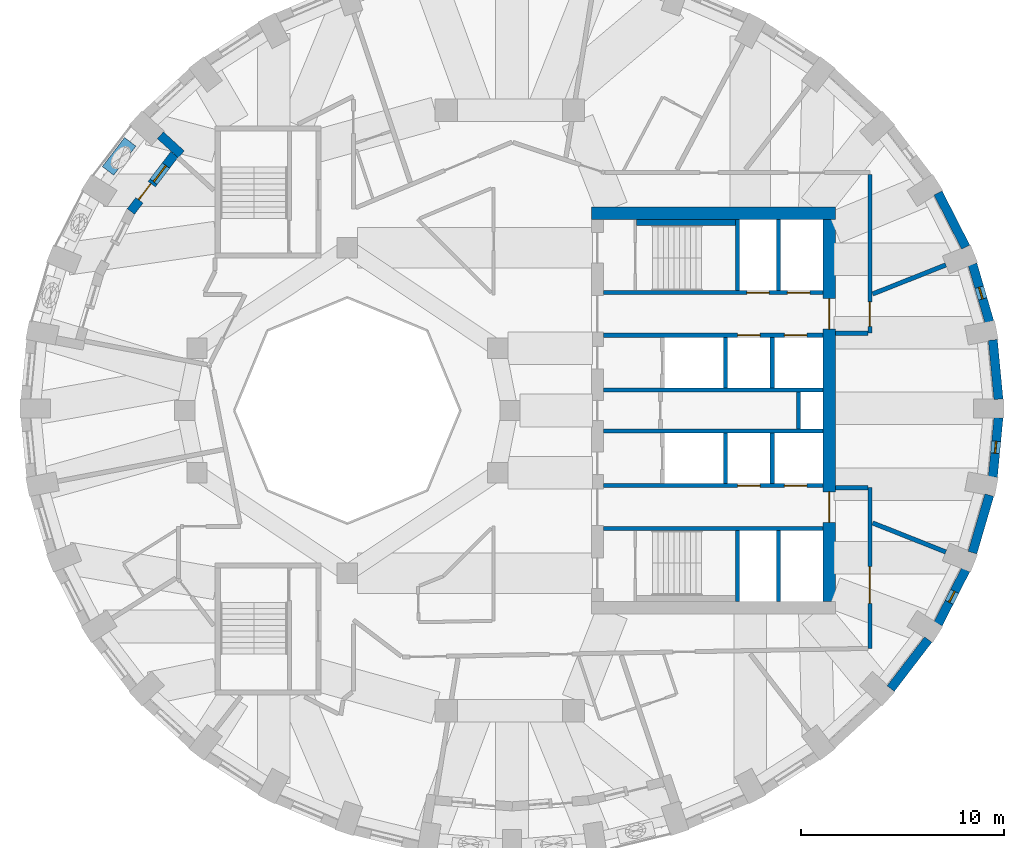
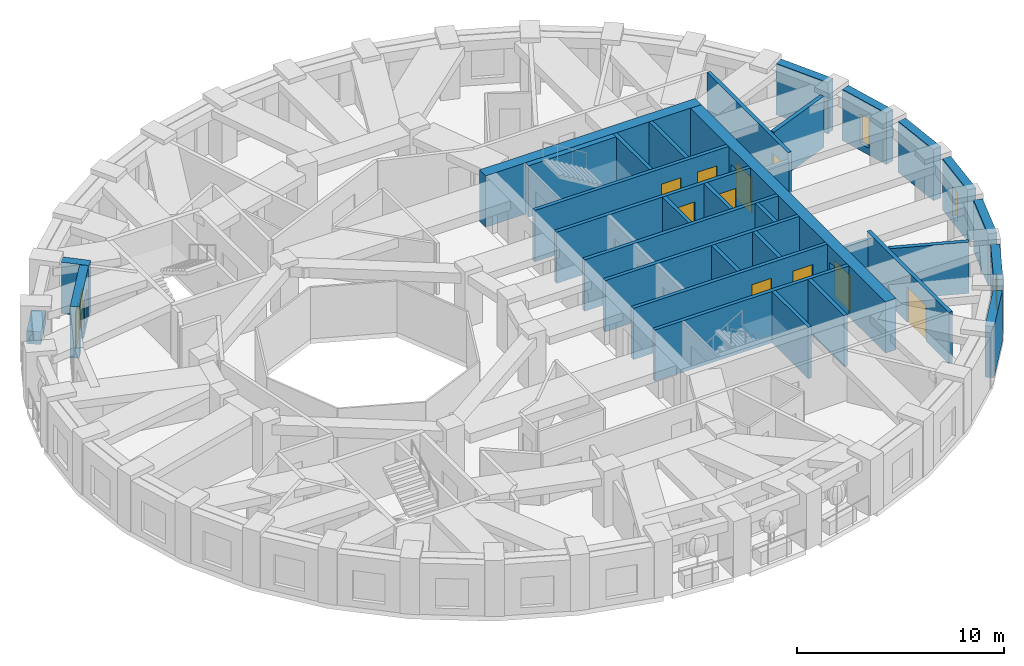
# One storey, part 6 of 11: 34 walls, 11 doors, 4 windows, 15 openings.
"""IFC4 building model written with IfcOpenShell, lengths in metres."""

import ifcopenshell
import ifcopenshell.guid

model = None  # the IFC model being written
_history = None  # IfcOwnerHistory: only IFC2X3 demands one
_inside = {}  # id of a spatial element -> (the spatial element, [elements in it])
_under = {}  # id of a project, library or spatial element -> (it, [spatial elements below it])
_declared = {}  # id of a project -> (the project, [libraries it declares])
_typed = {}  # id of a type object -> (the type object, [elements of that type])
_made_of = {}  # id of a material, layer set ... -> (it, [elements and type objects made of it])


def new_model(schema):
    """Start an empty IFC model of exactly this schema.

    Asked for "IFC4X3", IfcOpenShell would pick the latest addendum, in which some entities
    have other attributes; the version numbers below select the first issue.
    IFC2X3 requires an IfcOwnerHistory on every rooted entity: one is made here for all.
    """
    global model, _history
    if schema == "IFC4X3":
        model = ifcopenshell.file(schema_version=(4, 3, 0, 0))
    else:
        model = ifcopenshell.file(schema=schema)
    _inside.clear()
    _under.clear()
    _declared.clear()
    _typed.clear()
    _made_of.clear()
    _history = None
    if model.schema == "IFC2X3":
        org = make("IfcOrganization", Name="unknown")
        user = make(
            "IfcPersonAndOrganization",
            ThePerson=make("IfcPerson", FamilyName="unknown"),
            TheOrganization=org,
        )
        app = make(
            "IfcApplication",
            ApplicationDeveloper=org,
            Version="unknown",
            ApplicationFullName="unknown",
            ApplicationIdentifier="unknown",
        )
        _history = make(
            "IfcOwnerHistory",
            OwningUser=user,
            OwningApplication=app,
            ChangeAction="ADDED",
            CreationDate=0,
        )
    return model


def make(cls, **values):
    """One entity of the class cls with the attributes given. An attribute that is None is left unset."""
    return model.create_entity(
        cls, **{name: value for name, value in values.items() if value is not None}
    )


def rooted(cls, **values):
    """An entity with a GlobalId (a new one), such as an element, a storey or a relation."""
    return make(cls, GlobalId=ifcopenshell.guid.new(), OwnerHistory=_history, **values)


def si_unit(unit_type, name, prefix=None):
    """IfcSIUnit, for example si_unit("LENGTHUNIT", "METRE", prefix="MILLI")."""
    return make("IfcSIUnit", UnitType=unit_type, Prefix=prefix, Name=name)


def assignment(units):
    """IfcUnitAssignment: the units of a project."""
    return None if units is None else make("IfcUnitAssignment", Units=units)


def point(xyz):
    """IfcCartesianPoint."""
    return None if xyz is None else make("IfcCartesianPoint", Coordinates=xyz)


def direction(xyz):
    """IfcDirection."""
    return None if xyz is None else make("IfcDirection", DirectionRatios=xyz)


def frame(location, z_axis=None, x_axis=None):
    """IfcAxis2Placement3D, a coordinate frame: its origin and axes. An axis left out is left unset."""
    return make(
        "IfcAxis2Placement3D",
        Location=point(location),
        Axis=direction(z_axis),
        RefDirection=direction(x_axis),
    )


def frame_2d(location, x_axis=None):
    """IfcAxis2Placement2D, a coordinate frame in the plane: its origin and x axis."""
    return make(
        "IfcAxis2Placement2D", Location=point(location), RefDirection=direction(x_axis)
    )


def origin():
    """The frame at (0, 0, 0) with its axes left unset."""
    return frame((0.0, 0.0, 0.0))


def place(relative_to, where):
    """IfcLocalPlacement: puts the frame where relative to a parent placement (None: the world)."""
    return make(
        "IfcLocalPlacement", PlacementRelTo=relative_to, RelativePlacement=where
    )


def context(
    kind, dimensions, precision=None, world=None, true_north=None, identifier=None
):
    """IfcGeometricRepresentationContext, for example the 3D "Model" context."""
    return make(
        "IfcGeometricRepresentationContext",
        ContextIdentifier=identifier,
        ContextType=kind,
        CoordinateSpaceDimension=dimensions,
        Precision=precision,
        WorldCoordinateSystem=world,
        TrueNorth=true_north,
    )


def subcontext(parent, identifier, kind, view, scale=None):
    """IfcGeometricRepresentationSubContext, for example "Body" below "Model"."""
    return make(
        "IfcGeometricRepresentationSubContext",
        ContextIdentifier=identifier,
        ContextType=kind,
        ParentContext=parent,
        TargetScale=scale,
        TargetView=view,
    )


def project(units=None, contexts=None):
    """IfcProject with its units and contexts."""
    return rooted(
        "IfcProject",
        Name="project",
        RepresentationContexts=contexts,
        UnitsInContext=assignment(units),
    )


def spatial(cls, under=None, at=None, **own):
    """A site, building, storey or space (cls), placed at a placement, below another one or the project."""
    s = rooted(cls, ObjectPlacement=at, **own)
    if under is not None:
        _under.setdefault(under.id(), (under, []))[1].append(s)
    return s


def profile(cls, at=None, kind="AREA", **sizes):
    """A parametric profile (cls). Its sizes go by their IFC names, for example OverallWidth=200.0."""
    return make(cls, ProfileType=kind, Position=at, **sizes)


def rectangle(**sizes):
    """IfcRectangleProfileDef."""
    return profile("IfcRectangleProfileDef", **sizes)


def extrude(swept, where, along, depth):
    """IfcExtrudedAreaSolid: the profile swept, set in the frame where, extruded along a direction by depth."""
    return make(
        "IfcExtrudedAreaSolid",
        SweptArea=swept,
        Position=where,
        ExtrudedDirection=direction(along),
        Depth=depth,
    )


def shape(context_of_items, identifier, shape_type, items):
    """IfcShapeRepresentation: the items that make up one representation, for example the "Body"."""
    return make(
        "IfcShapeRepresentation",
        ContextOfItems=context_of_items,
        RepresentationIdentifier=identifier,
        RepresentationType=shape_type,
        Items=items,
    )


def material(Name=None, Category=None):
    """IfcMaterial."""
    return make("IfcMaterial", Name=Name, Category=Category)


def layer(
    of_material, thickness, ventilated=None, Name=None, Category=None, Priority=None
):
    """IfcMaterialLayer: one layer of a wall or slab, of a material (None: an air gap)."""
    return make(
        "IfcMaterialLayer",
        Material=of_material,
        LayerThickness=thickness,
        IsVentilated=ventilated,
        Name=Name,
        Category=Category,
        Priority=Priority,
    )


def layer_set(layers, Name=None):
    """IfcMaterialLayerSet."""
    return make("IfcMaterialLayerSet", MaterialLayers=layers, LayerSetName=Name)


def constituent(of_material, Name=None, Category=None, fraction=None):
    """IfcMaterialConstituent: one of the materials an element consists of."""
    return make(
        "IfcMaterialConstituent",
        Name=Name,
        Material=of_material,
        Fraction=fraction,
        Category=Category,
    )


def constituent_set(constituents=None, Name=None):
    """IfcMaterialConstituentSet."""
    return make(
        "IfcMaterialConstituentSet", Name=Name, MaterialConstituents=constituents
    )


def made_of(thing, what):
    """Note that an element or type object is made of a material, layer set ...; save() writes the relation."""
    if what is not None:
        _made_of.setdefault(what.id(), (what, []))[1].append(thing)
    return thing


def type_object(cls, material=None, **own):
    """A type object (cls), such as IfcWallType, which elements share."""
    return made_of(rooted(cls, **own), material)


def element(
    cls,
    number,
    at=None,
    inside=None,
    cuts=None,
    type_object=None,
    material=None,
    context=None,
    identifier="Body",
    shape_type=None,
    held_by="IfcProductDefinitionShape",
    body=None,
    shapes=None,
    **own,
):
    """One element of the class cls, such as IfcWall. Its Tag is "e" and its number.

    at: its placement. inside: the storey or other place that contains it. cuts: it is an
    opening in that element (IfcRelVoidsElement). A single representation is given by context,
    identifier, shape_type and body (its items); several are given by shapes. held_by: the class
    of the entity that holds the representations. save() writes the other relations.
    """
    e = rooted(cls, Tag="e%d" % number, ObjectPlacement=at, **own)
    if body is not None:
        shapes = [shape(context, identifier, shape_type, body)]
    if shapes is not None:
        e.Representation = make(held_by, Representations=shapes)
    if inside is not None:
        _inside.setdefault(inside.id(), (inside, []))[1].append(e)
    if cuts is not None:
        rooted(
            "IfcRelVoidsElement", RelatingBuildingElement=cuts, RelatedOpeningElement=e
        )
    if type_object is not None:
        _typed.setdefault(type_object.id(), (type_object, []))[1].append(e)
    return made_of(e, material)


def fill(opening, filler):
    """IfcRelFillsElement: the door or window that sits in an opening."""
    return rooted(
        "IfcRelFillsElement",
        RelatingOpeningElement=opening,
        RelatedBuildingElement=filler,
    )


def aggregate(whole, parts):
    """IfcRelAggregates: a whole, such as a stair, and the parts it consists of."""
    return rooted("IfcRelAggregates", RelatingObject=whole, RelatedObjects=parts)


def save(model, path):
    """Write the relations noted so far, then the file.

    IfcRelAggregates (storeys below a building ...), IfcRelContainedInSpatialStructure (elements
    in a storey), IfcRelDefinesByType, IfcRelAssociatesMaterial and IfcRelDeclares: one each for
    every whole, place, type object, material and project.
    """
    for whole, parts in _under.values():
        aggregate(whole, parts)
    for where, things in _inside.values():
        rooted(
            "IfcRelContainedInSpatialStructure",
            RelatedElements=things,
            RelatingStructure=where,
        )
    for kind, things in _typed.values():
        rooted("IfcRelDefinesByType", RelatedObjects=things, RelatingType=kind)
    for what, things in _made_of.values():
        rooted("IfcRelAssociatesMaterial", RelatedObjects=things, RelatingMaterial=what)
    for by, libraries in _declared.values():
        rooted("IfcRelDeclares", RelatingContext=by, RelatedDefinitions=libraries)
    model.write(path)


model = new_model("IFC4")

# Units and contexts
model_context = context("Model", 3, precision=1e-05, world=origin(), true_north=direction((0.0, 1.0)))
body_context = subcontext(model_context, "Body", "Model", "MODEL_VIEW")
ifc_project = project(units=[si_unit("LENGTHUNIT", "METRE"), si_unit("AREAUNIT", "SQUARE_METRE"), si_unit("VOLUMEUNIT", "CUBIC_METRE"), si_unit("PLANEANGLEUNIT", "RADIAN"), si_unit("MASSUNIT", "GRAM", prefix="KILO")], contexts=[model_context])

# Site, building, storey
site_placement = place(None, origin())
site = spatial("IfcSite", under=ifc_project, at=site_placement, CompositionType="ELEMENT")
building_placement = place(site_placement, origin())
building = spatial("IfcBuilding", under=site, at=building_placement, Name="Taillehof Tower", CompositionType="ELEMENT")
storey_placement = place(building_placement, frame((0.0, 0.0, 161.60009765625)))
storey = spatial("IfcBuildingStorey", under=building, at=storey_placement, Name="L45", CompositionType="ELEMENT", Elevation=161.60009765625)

# Wall
ifc_material_1 = material(Name="Brick masonry", Category="masonry")
ifc_layer_1 = layer(ifc_material_1, 0.449951171875)
ifc_layer_set_1 = layer_set([ifc_layer_1], Name="Brick infill wall 450")
wall_type_1 = type_object("IfcWallType", Name="Brick infill wall 450", PredefinedType="SOLIDWALL", material=ifc_layer_set_1)
wall_1_placement = place(storey_placement, frame((24.030517578125, 0.55517578125, 0.0), z_axis=(0.0, 0.0, 1.0), x_axis=(-0.095265737322, 0.995451876935, 0.0)))
element("IfcWall", 1, at=wall_1_placement, inside=storey, type_object=wall_type_1, Name="Brick wall L45 bay 1", PredefinedType="SOLIDWALL", context=body_context, shape_type="SweptSolid", body=[
    extrude(rectangle(XDim=2.9267578125, YDim=0.449951171875, at=frame_2d((1.46337890625, 0.0))), origin(), (0.0, 0.0, 1.0), 3.02001953125),
])

# Wall, opening, window
wall_2_placement = place(storey_placement, frame((23.579833984375, 4.3623046875, 0.0), z_axis=(0.0, 0.0, 1.0), x_axis=(-0.281049481624, 0.959693278542, 0.0)))
wall_2 = element("IfcWall", 2, at=wall_2_placement, inside=storey, type_object=wall_type_1, Name="Brick wall L45 bay 2", PredefinedType="SOLIDWALL", context=body_context, shape_type="SweptSolid", body=[
    extrude(rectangle(XDim=2.947509765625, YDim=0.449951171875, at=frame_2d((1.4736328125, 0.0))), origin(), (0.0, 0.0, 1.0), 3.02001953125),
])
opening_1_placement = place(wall_2_placement, frame((1.173583984375, 0.0, 0.39990234375)))
opening_1 = element("IfcOpeningElement", 3, at=opening_1_placement, cuts=wall_2, Name="Opening W6", PredefinedType="OPENING", context=body_context, shape_type="SweptSolid", body=[
    extrude(rectangle(XDim=0.60009765625, YDim=1.75, at=frame_2d((0.300048828125, 0.875))), frame((0.0, 0.23486328125, 0.0), z_axis=(0.0, -1.0, 0.0), x_axis=(1.0, 0.0, 0.0)), (0.0, 0.0, 1.0), 0.469970703125),
])
ifc_material_2 = material(Name="Aluminium window frame with clear double glazing", Category="aluminium")
window_type_1 = type_object("IfcWindowType", Name="Slot window 600x1750", PartitioningType="SINGLE_PANEL", PredefinedType="WINDOW", material=ifc_material_2)
window_1_placement = place(opening_1_placement, origin())
window_1 = element("IfcWindow", 4, at=window_1_placement, inside=storey, type_object=window_type_1, Name="W6", OverallHeight=1.75, OverallWidth=0.60009765625, PartitioningType="SINGLE_PANEL", PredefinedType="WINDOW", context=body_context, shape_type="SweptSolid", body=[
    extrude(rectangle(XDim=0.60009765625, YDim=1.75, at=frame_2d((0.300048828125, 0.875))), frame((0.0, 0.034912109375, 0.0), z_axis=(0.0, -1.0, 0.0), x_axis=(1.0, 0.0, 0.0)), (0.0, 0.0, 1.0), 0.06005859375),
])
fill(opening_1, window_1)

# Walls
wall_3_placement = place(storey_placement, frame((22.415283203125, 8.036865234375, 0.0), z_axis=(0.0, 0.0, 1.0), x_axis=(-0.454133999889, 0.890933392653, 0.0)))
element("IfcWall", 5, at=wall_3_placement, inside=storey, type_object=wall_type_1, Name="Brick wall L45 bay 3", PredefinedType="SOLIDWALL", context=body_context, shape_type="SweptSolid", body=[
    extrude(rectangle(XDim=2.98583984375, YDim=0.449951171875, at=frame_2d((1.492919921875, 0.0))), origin(), (0.0, 0.0, 1.0), 3.02001953125),
])
wall_4_placement = place(storey_placement, frame((18.72802734375, -13.6787109375, 0.0), z_axis=(0.0, 0.0, 1.0), x_axis=(0.607817056371, 0.794077090706, 0.0)))
element("IfcWall", 6, at=wall_4_placement, inside=storey, type_object=wall_type_1, Name="Brick wall L45 bay 33", PredefinedType="SOLIDWALL", context=body_context, shape_type="SweptSolid", body=[
    extrude(rectangle(XDim=3.037109375, YDim=0.449951171875, at=frame_2d((1.5185546875, 0.0))), origin(), (0.0, 0.0, 1.0), 3.02001953125),
])

# Wall, opening, window
wall_5_placement = place(storey_placement, frame((21.059326171875, -10.4970703125, 0.0), z_axis=(0.0, 0.0, 1.0), x_axis=(0.454133999889, 0.890933392653, 0.0)))
wall_5 = element("IfcWall", 7, at=wall_5_placement, inside=storey, type_object=wall_type_1, Name="Brick wall L45 bay 34", PredefinedType="SOLIDWALL", context=body_context, shape_type="SweptSolid", body=[
    extrude(rectangle(XDim=2.98583984375, YDim=0.449951171875, at=frame_2d((1.492919921875, 0.0))), origin(), (0.0, 0.0, 1.0), 3.02001953125),
])
opening_2_placement = place(wall_5_placement, frame((1.19287109375, 0.0, 0.39990234375)))
opening_2 = element("IfcOpeningElement", 8, at=opening_2_placement, cuts=wall_5, Name="Opening W6", PredefinedType="OPENING", context=body_context, shape_type="SweptSolid", body=[
    extrude(rectangle(XDim=0.60009765625, YDim=1.75, at=frame_2d((0.300048828125, 0.875))), frame((0.0, 0.23486328125, 0.0), z_axis=(0.0, -1.0, 0.0), x_axis=(1.0, 0.0, 0.0)), (0.0, 0.0, 1.0), 0.469970703125),
])
window_2_placement = place(opening_2_placement, origin())
window_2 = element("IfcWindow", 9, at=window_2_placement, inside=storey, type_object=window_type_1, Name="W6", OverallHeight=1.75, OverallWidth=0.60009765625, PartitioningType="SINGLE_PANEL", PredefinedType="WINDOW", context=body_context, shape_type="SweptSolid", body=[
    extrude(rectangle(XDim=0.60009765625, YDim=1.75, at=frame_2d((0.300048828125, 0.875))), frame((0.0, 0.034912109375, 0.0), z_axis=(0.0, -1.0, 0.0), x_axis=(1.0, 0.0, 0.0)), (0.0, 0.0, 1.0), 0.06005859375),
])
fill(opening_2, window_2)

# Wall
wall_6_placement = place(storey_placement, frame((22.75146484375, -6.990966796875, 0.0), z_axis=(0.0, 0.0, 1.0), x_axis=(0.281049481624, 0.959693278542, 0.0)))
element("IfcWall", 10, at=wall_6_placement, inside=storey, type_object=wall_type_1, Name="Brick wall L45 bay 35", PredefinedType="SOLIDWALL", context=body_context, shape_type="SweptSolid", body=[
    extrude(rectangle(XDim=2.947509765625, YDim=0.449951171875, at=frame_2d((1.4736328125, 0.0))), origin(), (0.0, 0.0, 1.0), 3.02001953125),
])

# Wall, opening, window
wall_7_placement = place(storey_placement, frame((23.751708984375, -3.2685546875, 0.0), z_axis=(0.0, 0.0, 1.0), x_axis=(0.095257827044, 0.995452633924, 0.0)))
wall_7 = element("IfcWall", 11, at=wall_7_placement, inside=storey, type_object=wall_type_1, Name="Brick wall L45 bay 36", PredefinedType="SOLIDWALL", context=body_context, shape_type="SweptSolid", body=[
    extrude(rectangle(XDim=2.927001953125, YDim=0.449951171875, at=frame_2d((1.46337890625, 0.0))), origin(), (0.0, 0.0, 1.0), 3.02001953125),
])
opening_3_placement = place(wall_7_placement, frame((1.163330078125, 0.0, 0.39990234375)))
opening_3 = element("IfcOpeningElement", 12, at=opening_3_placement, cuts=wall_7, Name="Opening W6", PredefinedType="OPENING", context=body_context, shape_type="SweptSolid", body=[
    extrude(rectangle(XDim=0.60009765625, YDim=1.75, at=frame_2d((0.300048828125, 0.875))), frame((0.0, 0.23486328125, 0.0), z_axis=(0.0, -1.0, 0.0), x_axis=(1.0, 0.0, 0.0)), (0.0, 0.0, 1.0), 0.469970703125),
])
window_3_placement = place(opening_3_placement, origin())
window_3 = element("IfcWindow", 13, at=window_3_placement, inside=storey, type_object=window_type_1, Name="W6", OverallHeight=1.75, OverallWidth=0.60009765625, PartitioningType="SINGLE_PANEL", PredefinedType="WINDOW", context=body_context, shape_type="SweptSolid", body=[
    extrude(rectangle(XDim=0.60009765625, YDim=1.75, at=frame_2d((0.300048828125, 0.875))), frame((0.0, 0.034912109375, 0.0), z_axis=(0.0, -1.0, 0.0), x_axis=(1.0, 0.0, 0.0)), (0.0, 0.0, 1.0), 0.06005859375),
])
fill(opening_3, window_3)

# Wall
wall_8_placement = place(storey_placement, frame((-17.19482421875, 13.537353515625, 0.0), z_axis=(0.0, 0.0, 1.0), x_axis=(0.737918885826, -0.674889411638, 0.0)))
element("IfcWall", 14, at=wall_8_placement, inside=storey, type_object=wall_type_1, Name="Brick reveal L45 pocket 4", PredefinedType="SOLIDWALL", context=body_context, shape_type="SweptSolid", body=[
    extrude(rectangle(XDim=1.390625, YDim=0.449951171875, at=frame_2d((0.6953125, 0.0))), origin(), (0.0, 0.0, 1.0), 3.02001953125),
])

# Wall, openings, door, window
wall_9_placement = place(storey_placement, frame((-16.500732421875, 12.59765625, 0.0), z_axis=(0.0, 0.0, 1.0), x_axis=(-0.606778881252, -0.794870674554, 0.0)))
wall_9 = element("IfcWall", 15, at=wall_9_placement, inside=storey, type_object=wall_type_1, Name="Brick wall L45 pocket bay 15", PredefinedType="SOLIDWALL", context=body_context, shape_type="SweptSolid", body=[
    extrude(rectangle(XDim=3.538330078125, YDim=0.449951171875, at=frame_2d((1.76904296875, 0.0))), origin(), (0.0, 0.0, 1.0), 3.02001953125),
])
opening_4_placement = place(wall_9_placement, frame((0.694091796875, 0.0, 0.39990234375)))
opening_4 = element("IfcOpeningElement", 16, at=opening_4_placement, cuts=wall_9, Name="Opening W5", PredefinedType="OPENING", context=body_context, shape_type="SweptSolid", body=[
    extrude(rectangle(XDim=1.0, YDim=1.75, at=frame_2d((0.5, 0.875))), frame((0.0, 0.23486328125, 0.0), z_axis=(0.0, -1.0, 0.0), x_axis=(1.0, 0.0, 0.0)), (0.0, 0.0, 1.0), 0.469970703125),
])
opening_5_placement = place(wall_9_placement, frame((1.84423828125, 0.0, 0.0)))
opening_5 = element("IfcOpeningElement", 17, at=opening_5_placement, cuts=wall_9, Name="Opening D4594", PredefinedType="OPENING", context=body_context, shape_type="SweptSolid", body=[
    extrude(rectangle(XDim=1.0, YDim=2.14990234375, at=frame_2d((0.5, 1.074951171875))), frame((0.0, 0.23486328125, 0.0), z_axis=(0.0, -1.0, 0.0), x_axis=(1.0, 0.0, 0.0)), (0.0, 0.0, 1.0), 0.469970703125),
])
ifc_material_3 = material(Name="Aluminium door frame with clear double glazing", Category="aluminium")
door_type_1 = type_object("IfcDoorType", Name="Balcony door 1000x2150", OperationType="SINGLE_SWING_RIGHT", PredefinedType="DOOR", material=ifc_material_3)
door_1_placement = place(opening_5_placement, frame((1.0, 0.0, 0.0), z_axis=(0.0, 0.0, 1.0), x_axis=(-1.0, 0.0, 0.0)))
door_1 = element("IfcDoor", 18, at=door_1_placement, inside=storey, type_object=door_type_1, Name="Balcony door L45 bay 15", OperationType="SINGLE_SWING_RIGHT", OverallHeight=2.14990234375, OverallWidth=1.0, PredefinedType="DOOR", context=body_context, shape_type="SweptSolid", body=[
    extrude(rectangle(XDim=1.0, YDim=2.14990234375, at=frame_2d((0.5, 1.074951171875))), frame((0.0, 0.0751953125, 0.0), z_axis=(0.0, -1.0, 0.0), x_axis=(1.0, 0.0, 0.0)), (0.0, 0.0, 1.0), 0.050048828125),
])
fill(opening_5, door_1)
ifc_material_4 = material(Name="Aluminium window frame with clear double glazing", Category="aluminium")
window_type_2 = type_object("IfcWindowType", Name="Fixed window 1000x1750", PartitioningType="SINGLE_PANEL", PredefinedType="WINDOW", material=ifc_material_4)
window_4_placement = place(opening_4_placement, origin())
window_4 = element("IfcWindow", 19, at=window_4_placement, inside=storey, type_object=window_type_2, Name="W5", OverallHeight=1.75, OverallWidth=1.0, PartitioningType="SINGLE_PANEL", PredefinedType="WINDOW", context=body_context, shape_type="SweptSolid", body=[
    extrude(rectangle(XDim=1.0, YDim=1.75, at=frame_2d((0.5, 0.875))), frame((0.0, 0.034912109375, 0.0), z_axis=(0.0, -1.0, 0.0), x_axis=(1.0, 0.0, 0.0)), (0.0, 0.0, 1.0), 0.06005859375),
])
fill(opening_4, window_4)

# Wall
ifc_material_5 = material(Name="Calcium silicate masonry", Category="masonry")
ifc_layer_2 = layer(ifc_material_5, 0.199951171875)
ifc_layer_set_2 = layer_set([ifc_layer_2], Name="Compartment wall calcium silicate 200")
wall_type_2 = type_object("IfcWallType", Name="Compartment wall calcium silicate 200", PredefinedType="PARTITIONING", material=ifc_layer_set_2)
wall_10_placement = place(storey_placement, frame((14.199951171875, -0.89990234375, 0.0), z_axis=(0.0, 0.0, 1.0), x_axis=(0.0, 1.0, 0.0)))
element("IfcWall", 20, at=wall_10_placement, inside=storey, type_object=wall_type_2, Name="Compartment wall FW", PredefinedType="PARTITIONING", context=body_context, shape_type="SweptSolid", body=[
    extrude(rectangle(XDim=1.7998046875, YDim=0.199951171875, at=frame_2d((0.89990234375, 0.0))), origin(), (0.0, 0.0, 1.0), 3.02001953125),
])

# Wall, opening, door
ifc_material_6 = material(Name="Gypsum board on steel studs, two layers each side", Category="steel")
ifc_layer_3 = layer(ifc_material_6, 0.199951171875)
ifc_layer_set_3 = layer_set([ifc_layer_3], Name="Compartment wall corridor 200")
wall_type_3 = type_object("IfcWallType", Name="Compartment wall corridor 200", PredefinedType="PARTITIONING", material=ifc_layer_set_3)
wall_11_placement = place(storey_placement, frame((17.699951171875, -3.800048828125, 0.0), z_axis=(0.0, 0.0, 1.0), x_axis=(0.0, -1.0, 0.0)))
wall_11 = element("IfcWall", 21, at=wall_11_placement, inside=storey, type_object=wall_type_3, Name="Compartment wall", PredefinedType="PARTITIONING", context=body_context, shape_type="SweptSolid", body=[
    extrude(rectangle(XDim=7.89990234375, YDim=0.199951171875, at=frame_2d((3.949951171875, 0.0))), origin(), (0.0, 0.0, 1.0), 3.02001953125),
])
opening_6_placement = place(wall_11_placement, frame((3.8828125, 0.0, 0.0)))
opening_6 = element("IfcOpeningElement", 22, at=opening_6_placement, cuts=wall_11, Name="Opening D4556", PredefinedType="OPENING", context=body_context, shape_type="SweptSolid", body=[
    extrude(rectangle(XDim=1.800048828125, YDim=2.10009765625, at=frame_2d((0.89990234375, 1.050048828125))), frame((0.0, 0.10986328125, 0.0), z_axis=(0.0, -1.0, 0.0), x_axis=(1.0, 0.0, 0.0)), (0.0, 0.0, 1.0), 0.219970703125),
])
ifc_material_7 = material(Name="Timber door leaf in steel frame", Category="steel")
door_type_2 = type_object("IfcDoorType", Name="Lounge and meeting room double door EI 30 1800 x 2100", OperationType="SINGLE_SWING_LEFT", PredefinedType="DOOR", material=ifc_material_7)
door_2_placement = place(opening_6_placement, origin())
door_2 = element("IfcDoor", 23, at=door_2_placement, inside=storey, type_object=door_type_2, Name="D4556", OperationType="DOUBLE_DOOR_SINGLE_SWING", OverallHeight=2.10009765625, OverallWidth=1.800048828125, PredefinedType="DOOR", context=body_context, shape_type="SweptSolid", body=[
    extrude(rectangle(XDim=1.800048828125, YDim=2.10009765625, at=frame_2d((0.89990234375, 1.050048828125))), frame((0.0, 0.02490234375, 0.0), z_axis=(0.0, -1.0, 0.0), x_axis=(1.0, 0.0, 0.0)), (0.0, 0.0, 1.0), 0.050048828125),
])
fill(opening_6, door_2)

wall_12_placement = place(storey_placement, frame((17.699951171875, 11.599853515625, 0.0), z_axis=(0.0, 0.0, 1.0), x_axis=(0.0, -1.0, 0.0)))
wall_12 = element("IfcWall", 24, at=wall_12_placement, inside=storey, type_object=wall_type_3, Name="Compartment wall", PredefinedType="PARTITIONING", context=body_context, shape_type="SweptSolid", body=[
    extrude(rectangle(XDim=7.7998046875, YDim=0.199951171875, at=frame_2d((3.89990234375, 0.0))), origin(), (0.0, 0.0, 1.0), 3.02001953125),
])
opening_7_placement = place(wall_12_placement, frame((6.25634765625, 0.0, 0.0)))
opening_7 = element("IfcOpeningElement", 25, at=opening_7_placement, cuts=wall_12, Name="Opening D4557", PredefinedType="OPENING", context=body_context, shape_type="SweptSolid", body=[
    extrude(rectangle(XDim=1.199951171875, YDim=2.10009765625, at=frame_2d((0.60009765625, 1.050048828125))), frame((0.0, 0.10986328125, 0.0), z_axis=(0.0, -1.0, 0.0), x_axis=(1.0, 0.0, 0.0)), (0.0, 0.0, 1.0), 0.219970703125),
])
ifc_material_8 = material(Name="Timber door leaf in steel frame", Category="steel")
door_type_3 = type_object("IfcDoorType", Name="Suite entrance door EI 30 1200 x 2100", OperationType="SINGLE_SWING_LEFT", PredefinedType="DOOR", material=ifc_material_8)
door_3_placement = place(opening_7_placement, origin())
door_3 = element("IfcDoor", 26, at=door_3_placement, inside=storey, type_object=door_type_3, Name="D4557", OperationType="SINGLE_SWING_LEFT", OverallHeight=2.10009765625, OverallWidth=1.199951171875, PredefinedType="DOOR", context=body_context, shape_type="SweptSolid", body=[
    extrude(rectangle(XDim=1.199951171875, YDim=2.10009765625, at=frame_2d((0.60009765625, 1.050048828125))), frame((0.0, 0.02490234375, 0.0), z_axis=(0.0, -1.0, 0.0), x_axis=(1.0, 0.0, 0.0)), (0.0, 0.0, 1.0), 0.050048828125),
])
fill(opening_7, door_3)

# Walls
for number, where, z_axis, x_axis, name in (
    (27, (17.599853515625, 3.800048828125, 0.0), (0.0, 0.0, 1.0), (-1.0, 0.0, 0.0), "Compartment wall"),
    (28, (16.00390625, -3.800048828125, 0.0), (0.0, 0.0, 1.0), (1.0, 0.0, 0.0), "Compartment wall"),
):
    element("IfcWall", number, at=place(storey_placement, frame(where, z_axis=z_axis, x_axis=x_axis)), inside=storey, type_object=wall_type_3, Name=name, PredefinedType="PARTITIONING", context=body_context, shape_type="SweptSolid", body=[
        extrude(rectangle(XDim=1.595947265625, YDim=0.199951171875, at=frame_2d((0.7978515625, 0.0))), origin(), (0.0, 0.0, 1.0), 2.56982421875),
    ])
ifc_material_9 = material(Name="Gypsum board on double steel studs with mineral wool", Category="steel")
ifc_layer_4 = layer(ifc_material_9, 0.219970703125)
ifc_layer_set_4 = layer_set([ifc_layer_4], Name="Compartment wall guest room 220")
wall_type_4 = type_object("IfcWallType", Name="Compartment wall guest room 220", PredefinedType="PARTITIONING", material=ifc_layer_set_4)
for number, where, z_axis, x_axis, name in (
    (29, (21.438720703125, 7.15966796875, 0.0), (0.0, 0.0, 1.0), (-0.929511625875, -0.36879281089, 0.0), "Compartment wall"),
    (30, (21.438720703125, -6.959716796875, 0.0), (0.0, 0.0, 1.0), (-0.929511625875, 0.36879281089, 0.0), "Compartment wall"),
):
    element("IfcWall", number, at=place(storey_placement, frame(where, z_axis=z_axis, x_axis=x_axis)), inside=storey, type_object=wall_type_4, Name=name, PredefinedType="PARTITIONING", context=body_context, shape_type="SweptSolid", body=[
        extrude(rectangle(XDim=3.874755859375, YDim=0.219970703125, at=frame_2d((1.9375, 0.0))), origin(), (0.0, 0.0, 1.0), 3.02001953125),
    ])
ifc_material_10 = material(Name="Calcium silicate masonry", Category="masonry")
ifc_layer_5 = layer(ifc_material_10, 0.300048828125)
ifc_layer_set_5 = layer_set([ifc_layer_5], Name="Compartment wall lining calcium silicate 300")
wall_type_5 = type_object("IfcWallType", Name="Compartment wall lining calcium silicate 300", PredefinedType="PARTITIONING", material=ifc_layer_set_5)
wall_13_placement = place(storey_placement, frame((6.219970703125, 9.25, 0.0), z_axis=(0.0, 0.0, 1.0), x_axis=(1.0, 0.0, 0.0)))
element("IfcWall", 31, at=wall_13_placement, inside=storey, type_object=wall_type_5, Name="Compartment wall FW", PredefinedType="PARTITIONING", context=body_context, shape_type="SweptSolid", body=[
    extrude(rectangle(XDim=4.880126953125, YDim=0.300048828125, at=frame_2d((2.43994140625, 0.0))), origin(), (0.0, 0.0, 1.0), 3.02001953125),
])

# Wall, openings, doors
ifc_material_11 = material(Name="Concrete C80/95", Category="concrete")
ifc_layer_6 = layer(ifc_material_11, 0.60009765625)
ifc_layer_set_6 = layer_set([ifc_layer_6], Name="Core wall C80/95 600")
wall_type_6 = type_object("IfcWallType", Name="Core wall C80/95 600", PredefinedType="SHEAR", material=ifc_layer_set_6)
wall_14_placement = place(storey_placement, frame((15.699951171875, -9.39990234375, 0.0), z_axis=(0.0, 0.0, 1.0), x_axis=(0.0, 1.0, 0.0)))
wall_14 = element("IfcWall", 32, at=wall_14_placement, inside=storey, type_object=wall_type_6, Name="Core wall CW05", PredefinedType="SHEAR", context=body_context, shape_type="SweptSolid", body=[
    extrude(rectangle(XDim=18.7998046875, YDim=0.60009765625, at=frame_2d((9.39990234375, 0.0))), origin(), (0.0, 0.0, 1.0), 3.02001953125),
])
opening_8_placement = place(wall_14_placement, frame((13.39990234375, 0.0, 0.0)))
opening_8 = element("IfcOpeningElement", 33, at=opening_8_placement, cuts=wall_14, Name="Opening D4508", PredefinedType="OPENING", context=body_context, shape_type="SweptSolid", body=[
    extrude(rectangle(XDim=1.5, YDim=2.10009765625, at=frame_2d((0.75, 1.050048828125))), frame((0.0, 0.31005859375, 0.0), z_axis=(0.0, -1.0, 0.0), x_axis=(1.0, 0.0, 0.0)), (0.0, 0.0, 1.0), 0.6201171875),
])
opening_9_placement = place(wall_14_placement, frame((3.89990234375, 0.0, 0.0)))
opening_9 = element("IfcOpeningElement", 34, at=opening_9_placement, cuts=wall_14, Name="Opening D4509", PredefinedType="OPENING", context=body_context, shape_type="SweptSolid", body=[
    extrude(rectangle(XDim=1.5, YDim=2.10009765625, at=frame_2d((0.75, 1.050048828125))), frame((0.0, 0.31005859375, 0.0), z_axis=(0.0, -1.0, 0.0), x_axis=(1.0, 0.0, 0.0)), (0.0, 0.0, 1.0), 0.6201171875),
])
ifc_material_12 = material(Name="Steel-faced fire door", Category="steel")
door_type_4 = type_object("IfcDoorType", Name="Lift lobby east door 1500x2100", OperationType="DOUBLE_DOOR_SINGLE_SWING", PredefinedType="DOOR", material=ifc_material_12)
door_4_placement = place(opening_8_placement, origin())
door_4 = element("IfcDoor", 35, at=door_4_placement, inside=storey, type_object=door_type_4, Name="Lift lobby east door north", OperationType="DOUBLE_DOOR_SINGLE_SWING", OverallHeight=2.10009765625, OverallWidth=1.5, PredefinedType="DOOR", context=body_context, shape_type="SweptSolid", body=[
    extrude(rectangle(XDim=1.5, YDim=2.10009765625, at=frame_2d((0.75, 1.050048828125))), frame((0.0, 0.02490234375, 0.0), z_axis=(0.0, -1.0, 0.0), x_axis=(1.0, 0.0, 0.0)), (0.0, 0.0, 1.0), 0.050048828125),
])
fill(opening_8, door_4)
door_5_placement = place(opening_9_placement, origin())
door_5 = element("IfcDoor", 36, at=door_5_placement, inside=storey, type_object=door_type_4, Name="Lift lobby east door south", OperationType="DOUBLE_DOOR_SINGLE_SWING", OverallHeight=2.10009765625, OverallWidth=1.5, PredefinedType="DOOR", context=body_context, shape_type="SweptSolid", body=[
    extrude(rectangle(XDim=1.5, YDim=2.10009765625, at=frame_2d((0.75, 1.050048828125))), frame((0.0, 0.02490234375, 0.0), z_axis=(0.0, -1.0, 0.0), x_axis=(1.0, 0.0, 0.0)), (0.0, 0.0, 1.0), 0.050048828125),
])
fill(opening_9, door_5)

# Walls
wall_15_placement = place(storey_placement, frame((4.0, 9.699951171875, 0.0), z_axis=(0.0, 0.0, 1.0), x_axis=(1.0, 0.0, 0.0)))
element("IfcWall", 37, at=wall_15_placement, inside=storey, type_object=wall_type_6, Name="Core wall CW06", PredefinedType="SHEAR", context=body_context, shape_type="SweptSolid", body=[
    extrude(rectangle(XDim=12.0, YDim=0.60009765625, at=frame_2d((6.0, 0.0))), origin(), (0.0, 0.0, 1.0), 3.02001953125),
])
ifc_material_13 = material(Name="Concrete C30/37 precast", Category="concrete")
ifc_constituent_1 = constituent(ifc_material_13, Name="Structure", Category="concrete")
ifc_material_14 = material(Name="Insulated lining")
ifc_constituent_2 = constituent(ifc_material_14, Name="Lining")
ifc_constituent_set = constituent_set(constituents=[ifc_constituent_1, ifc_constituent_2], Name="Planter trough 700x750")
wall_type_7 = type_object("IfcWallType", Name="Planter trough 700x750", PredefinedType="USERDEFINED", material=ifc_constituent_set)
wall_16_placement = place(storey_placement, frame((-18.677978515625, 13.214111328125, 0.0), z_axis=(0.0, 0.0, 1.0), x_axis=(-0.607762189494, -0.794119084912, 0.0)))
element("IfcWall", 38, at=wall_16_placement, inside=storey, type_object=wall_type_7, Name="Planter L45 bay 15", ObjectType="PLANTER", PredefinedType="USERDEFINED", context=body_context, shape_type="SweptSolid", body=[
    extrude(rectangle(XDim=1.800048828125, YDim=0.699951171875, at=frame_2d((0.89990234375, 0.0))), origin(), (0.0, 0.0, 1.0), 0.75),
])

# Wall, openings, doors
ifc_material_15 = material(Name="Concrete C50/60", Category="concrete")
ifc_layer_7 = layer(ifc_material_15, 0.199951171875)
ifc_layer_set_7 = layer_set([ifc_layer_7], Name="Shaft wall C50/60 200")
wall_type_8 = type_object("IfcWallType", Name="Shaft wall C50/60 200", PredefinedType="SHEAR", material=ifc_layer_set_7)
wall_17_placement = place(storey_placement, frame((4.60009765625, 5.800048828125, 0.0), z_axis=(0.0, 0.0, 1.0), x_axis=(1.0, 0.0, 0.0)))
wall_17 = element("IfcWall", 39, at=wall_17_placement, inside=storey, type_object=wall_type_8, Name="Shaft wall SW", PredefinedType="SHEAR", context=body_context, shape_type="SweptSolid", body=[
    extrude(rectangle(XDim=10.7998046875, YDim=0.199951171875, at=frame_2d((5.39990234375, 0.0))), origin(), (0.0, 0.0, 1.0), 3.02001953125),
])
opening_10_placement = place(wall_17_placement, frame((7.050048828125, 0.0, 0.0)))
opening_10 = element("IfcOpeningElement", 40, at=opening_10_placement, cuts=wall_17, Name="Opening LD1", PredefinedType="OPENING", context=body_context, shape_type="SweptSolid", body=[
    extrude(rectangle(XDim=1.10009765625, YDim=2.10009765625, at=frame_2d((0.550048828125, 1.050048828125))), frame((0.0, 0.10986328125, 0.0), z_axis=(0.0, -1.0, 0.0), x_axis=(1.0, 0.0, 0.0)), (0.0, 0.0, 1.0), 0.219970703125),
])
opening_11_placement = place(wall_17_placement, frame((9.050048828125, 0.0, 0.0)))
opening_11 = element("IfcOpeningElement", 41, at=opening_11_placement, cuts=wall_17, Name="Opening LD1", PredefinedType="OPENING", context=body_context, shape_type="SweptSolid", body=[
    extrude(rectangle(XDim=1.10009765625, YDim=2.10009765625, at=frame_2d((0.550048828125, 1.050048828125))), frame((0.0, 0.10986328125, 0.0), z_axis=(0.0, -1.0, 0.0), x_axis=(1.0, 0.0, 0.0)), (0.0, 0.0, 1.0), 0.219970703125),
])
ifc_material_16 = material(Name="Stainless steel", Category="steel")
door_type_5 = type_object("IfcDoorType", Name="Lift landing door LD1 1100x2100", OperationType="DOUBLE_DOOR_SLIDING", PredefinedType="DOOR", material=ifc_material_16)
door_6_placement = place(opening_10_placement, origin())
door_6 = element("IfcDoor", 42, at=door_6_placement, inside=storey, type_object=door_type_5, Name="Landing door HR1", OperationType="DOUBLE_DOOR_SLIDING", OverallHeight=2.10009765625, OverallWidth=1.10009765625, PredefinedType="DOOR", context=body_context, shape_type="SweptSolid", body=[
    extrude(rectangle(XDim=1.10009765625, YDim=2.10009765625, at=frame_2d((0.550048828125, 1.050048828125))), frame((0.0, 0.02490234375, 0.0), z_axis=(0.0, -1.0, 0.0), x_axis=(1.0, 0.0, 0.0)), (0.0, 0.0, 1.0), 0.050048828125),
])
fill(opening_10, door_6)
door_7_placement = place(opening_11_placement, origin())
door_7 = element("IfcDoor", 43, at=door_7_placement, inside=storey, type_object=door_type_5, Name="Landing door HR2", OperationType="DOUBLE_DOOR_SLIDING", OverallHeight=2.10009765625, OverallWidth=1.10009765625, PredefinedType="DOOR", context=body_context, shape_type="SweptSolid", body=[
    extrude(rectangle(XDim=1.10009765625, YDim=2.10009765625, at=frame_2d((0.550048828125, 1.050048828125))), frame((0.0, 0.02490234375, 0.0), z_axis=(0.0, -1.0, 0.0), x_axis=(1.0, 0.0, 0.0)), (0.0, 0.0, 1.0), 0.050048828125),
])
fill(opening_11, door_7)

wall_18_placement = place(storey_placement, frame((4.60009765625, 3.699951171875, 0.0), z_axis=(0.0, 0.0, 1.0), x_axis=(1.0, 0.0, 0.0)))
wall_18 = element("IfcWall", 44, at=wall_18_placement, inside=storey, type_object=wall_type_8, Name="Shaft wall SW", PredefinedType="SHEAR", context=body_context, shape_type="SweptSolid", body=[
    extrude(rectangle(XDim=10.7998046875, YDim=0.199951171875, at=frame_2d((5.39990234375, 0.0))), origin(), (0.0, 0.0, 1.0), 3.02001953125),
])
opening_12_placement = place(wall_18_placement, frame((6.60009765625, 0.0, 0.0)))
opening_12 = element("IfcOpeningElement", 45, at=opening_12_placement, cuts=wall_18, Name="Opening LD1", PredefinedType="OPENING", context=body_context, shape_type="SweptSolid", body=[
    extrude(rectangle(XDim=1.10009765625, YDim=2.10009765625, at=frame_2d((0.550048828125, 1.050048828125))), frame((0.0, 0.10986328125, 0.0), z_axis=(0.0, -1.0, 0.0), x_axis=(1.0, 0.0, 0.0)), (0.0, 0.0, 1.0), 0.219970703125),
])
opening_13_placement = place(wall_18_placement, frame((8.89990234375, 0.0, 0.0)))
opening_13 = element("IfcOpeningElement", 46, at=opening_13_placement, cuts=wall_18, Name="Opening LD1", PredefinedType="OPENING", context=body_context, shape_type="SweptSolid", body=[
    extrude(rectangle(XDim=1.10009765625, YDim=2.10009765625, at=frame_2d((0.550048828125, 1.050048828125))), frame((0.0, 0.10986328125, 0.0), z_axis=(0.0, -1.0, 0.0), x_axis=(1.0, 0.0, 0.0)), (0.0, 0.0, 1.0), 0.219970703125),
])
door_8_placement = place(opening_12_placement, origin())
door_8 = element("IfcDoor", 47, at=door_8_placement, inside=storey, type_object=door_type_5, Name="Landing door HR3", OperationType="DOUBLE_DOOR_SLIDING", OverallHeight=2.10009765625, OverallWidth=1.10009765625, PredefinedType="DOOR", context=body_context, shape_type="SweptSolid", body=[
    extrude(rectangle(XDim=1.10009765625, YDim=2.10009765625, at=frame_2d((0.550048828125, 1.050048828125))), frame((0.0, 0.02490234375, 0.0), z_axis=(0.0, -1.0, 0.0), x_axis=(1.0, 0.0, 0.0)), (0.0, 0.0, 1.0), 0.050048828125),
])
fill(opening_12, door_8)
door_9_placement = place(opening_13_placement, origin())
door_9 = element("IfcDoor", 48, at=door_9_placement, inside=storey, type_object=door_type_5, Name="Landing door HR4", OperationType="DOUBLE_DOOR_SLIDING", OverallHeight=2.10009765625, OverallWidth=1.10009765625, PredefinedType="DOOR", context=body_context, shape_type="SweptSolid", body=[
    extrude(rectangle(XDim=1.10009765625, YDim=2.10009765625, at=frame_2d((0.550048828125, 1.050048828125))), frame((0.0, 0.02490234375, 0.0), z_axis=(0.0, -1.0, 0.0), x_axis=(1.0, 0.0, 0.0)), (0.0, 0.0, 1.0), 0.050048828125),
])
fill(opening_13, door_9)

# Walls
for number, where, z_axis, x_axis, name in (
    (49, (4.60009765625, 1.0, 0.0), (0.0, 0.0, 1.0), (1.0, 0.0, 0.0), "Shaft wall SW"),
    (50, (4.60009765625, -1.0, 0.0), (0.0, 0.0, 1.0), (1.0, 0.0, 0.0), "Shaft wall SW"),
):
    element("IfcWall", number, at=place(storey_placement, frame(where, z_axis=z_axis, x_axis=x_axis)), inside=storey, type_object=wall_type_8, Name=name, PredefinedType="SHEAR", context=body_context, shape_type="SweptSolid", body=[
        extrude(rectangle(XDim=10.7998046875, YDim=0.199951171875, at=frame_2d((5.39990234375, 0.0))), origin(), (0.0, 0.0, 1.0), 3.02001953125),
    ])

# Wall, openings, doors
wall_19_placement = place(storey_placement, frame((4.60009765625, -3.699951171875, 0.0), z_axis=(0.0, 0.0, 1.0), x_axis=(1.0, 0.0, 0.0)))
wall_19 = element("IfcWall", 51, at=wall_19_placement, inside=storey, type_object=wall_type_8, Name="Shaft wall SW", PredefinedType="SHEAR", context=body_context, shape_type="SweptSolid", body=[
    extrude(rectangle(XDim=10.7998046875, YDim=0.199951171875, at=frame_2d((5.39990234375, 0.0))), origin(), (0.0, 0.0, 1.0), 3.02001953125),
])
opening_14_placement = place(wall_19_placement, frame((6.60009765625, 0.0, 0.0)))
opening_14 = element("IfcOpeningElement", 52, at=opening_14_placement, cuts=wall_19, Name="Opening LD1", PredefinedType="OPENING", context=body_context, shape_type="SweptSolid", body=[
    extrude(rectangle(XDim=1.10009765625, YDim=2.10009765625, at=frame_2d((0.550048828125, 1.050048828125))), frame((0.0, 0.10986328125, 0.0), z_axis=(0.0, -1.0, 0.0), x_axis=(1.0, 0.0, 0.0)), (0.0, 0.0, 1.0), 0.219970703125),
])
opening_15_placement = place(wall_19_placement, frame((8.89990234375, 0.0, 0.0)))
opening_15 = element("IfcOpeningElement", 53, at=opening_15_placement, cuts=wall_19, Name="Opening LD1", PredefinedType="OPENING", context=body_context, shape_type="SweptSolid", body=[
    extrude(rectangle(XDim=1.10009765625, YDim=2.10009765625, at=frame_2d((0.550048828125, 1.050048828125))), frame((0.0, 0.10986328125, 0.0), z_axis=(0.0, -1.0, 0.0), x_axis=(1.0, 0.0, 0.0)), (0.0, 0.0, 1.0), 0.219970703125),
])
door_10_placement = place(opening_14_placement, origin())
door_10 = element("IfcDoor", 54, at=door_10_placement, inside=storey, type_object=door_type_5, Name="Landing door HR5", OperationType="DOUBLE_DOOR_SLIDING", OverallHeight=2.10009765625, OverallWidth=1.10009765625, PredefinedType="DOOR", context=body_context, shape_type="SweptSolid", body=[
    extrude(rectangle(XDim=1.10009765625, YDim=2.10009765625, at=frame_2d((0.550048828125, 1.050048828125))), frame((0.0, 0.02490234375, 0.0), z_axis=(0.0, -1.0, 0.0), x_axis=(1.0, 0.0, 0.0)), (0.0, 0.0, 1.0), 0.050048828125),
])
fill(opening_14, door_10)
door_11_placement = place(opening_15_placement, origin())
door_11 = element("IfcDoor", 55, at=door_11_placement, inside=storey, type_object=door_type_5, Name="Landing door HR6", OperationType="DOUBLE_DOOR_SLIDING", OverallHeight=2.10009765625, OverallWidth=1.10009765625, PredefinedType="DOOR", context=body_context, shape_type="SweptSolid", body=[
    extrude(rectangle(XDim=1.10009765625, YDim=2.10009765625, at=frame_2d((0.550048828125, 1.050048828125))), frame((0.0, 0.02490234375, 0.0), z_axis=(0.0, -1.0, 0.0), x_axis=(1.0, 0.0, 0.0)), (0.0, 0.0, 1.0), 0.050048828125),
])
fill(opening_15, door_11)

# Walls
wall_20_placement = place(storey_placement, frame((4.60009765625, -5.800048828125, 0.0), z_axis=(0.0, 0.0, 1.0), x_axis=(1.0, 0.0, 0.0)))
element("IfcWall", 56, at=wall_20_placement, inside=storey, type_object=wall_type_8, Name="Shaft wall SW", PredefinedType="SHEAR", context=body_context, shape_type="SweptSolid", body=[
    extrude(rectangle(XDim=10.7998046875, YDim=0.199951171875, at=frame_2d((5.39990234375, 0.0))), origin(), (0.0, 0.0, 1.0), 3.02001953125),
])
for number, where, z_axis, x_axis, name in (
    (57, (11.199951171875, 5.89990234375, 0.0), (0.0, 0.0, 1.0), (0.0, 1.0, 0.0), "Shaft wall SW"),
    (58, (11.199951171875, -9.39990234375, 0.0), (0.0, 0.0, 1.0), (0.0, 1.0, 0.0), "Shaft wall SW"),
    (59, (13.199951171875, 5.89990234375, 0.0), (0.0, 0.0, 1.0), (0.0, 1.0, 0.0), "Shaft wall SW"),
    (60, (13.199951171875, -9.39990234375, 0.0), (0.0, 0.0, 1.0), (0.0, 1.0, 0.0), "Shaft wall SW"),
):
    element("IfcWall", number, at=place(storey_placement, frame(where, z_axis=z_axis, x_axis=x_axis)), inside=storey, type_object=wall_type_8, Name=name, PredefinedType="SHEAR", context=body_context, shape_type="SweptSolid", body=[
        extrude(rectangle(XDim=3.5, YDim=0.199951171875, at=frame_2d((1.75, 0.0))), origin(), (0.0, 0.0, 1.0), 3.02001953125),
    ])
for number, where, z_axis, x_axis, name in (
    (61, (10.60009765625, 1.10009765625, 0.0), (0.0, 0.0, 1.0), (0.0, 1.0, 0.0), "Shaft wall SW"),
    (62, (10.60009765625, -3.60009765625, 0.0), (0.0, 0.0, 1.0), (0.0, 1.0, 0.0), "Shaft wall SW"),
    (63, (12.89990234375, 1.10009765625, 0.0), (0.0, 0.0, 1.0), (0.0, 1.0, 0.0), "Shaft wall SW"),
    (64, (12.89990234375, -3.60009765625, 0.0), (0.0, 0.0, 1.0), (0.0, 1.0, 0.0), "Shaft wall SW"),
):
    element("IfcWall", number, at=place(storey_placement, frame(where, z_axis=z_axis, x_axis=x_axis)), inside=storey, type_object=wall_type_8, Name=name, PredefinedType="SHEAR", context=body_context, shape_type="SweptSolid", body=[
        extrude(rectangle(XDim=2.5, YDim=0.199951171875, at=frame_2d((1.25, 0.0))), origin(), (0.0, 0.0, 1.0), 3.02001953125),
    ])

save(model, "model.ifc")
